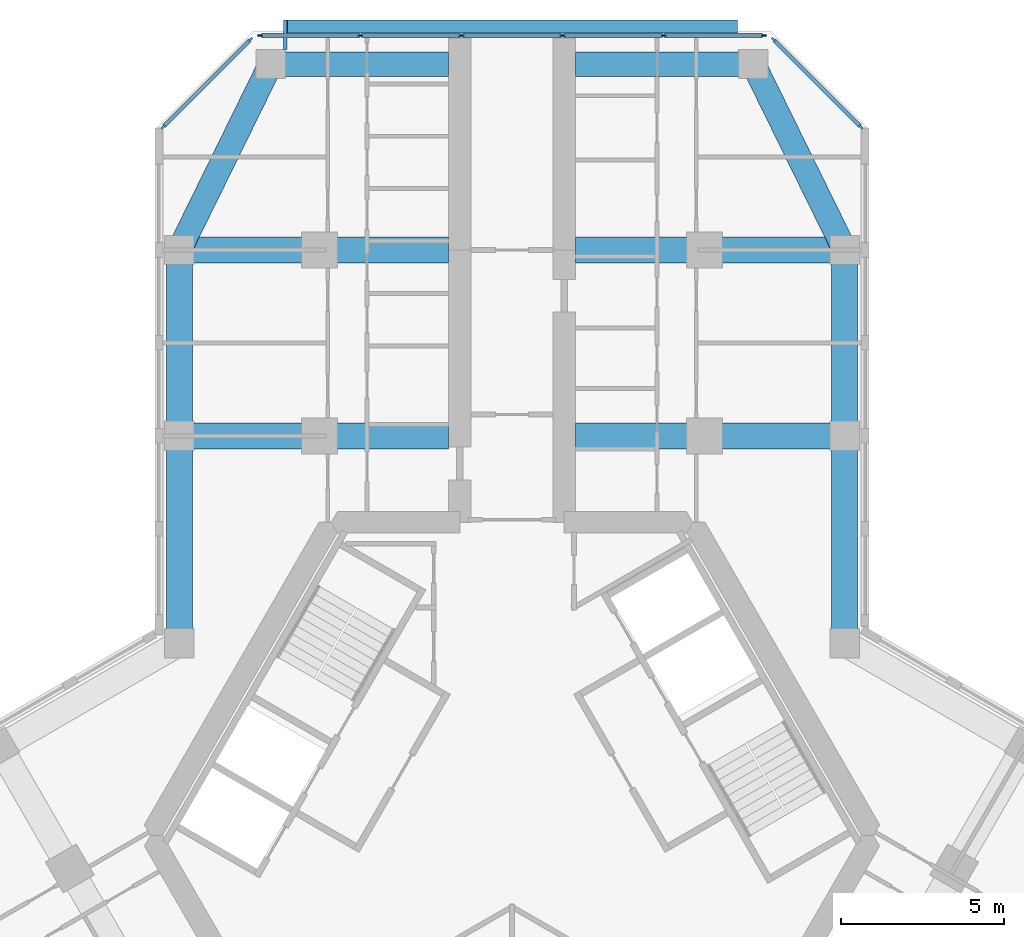
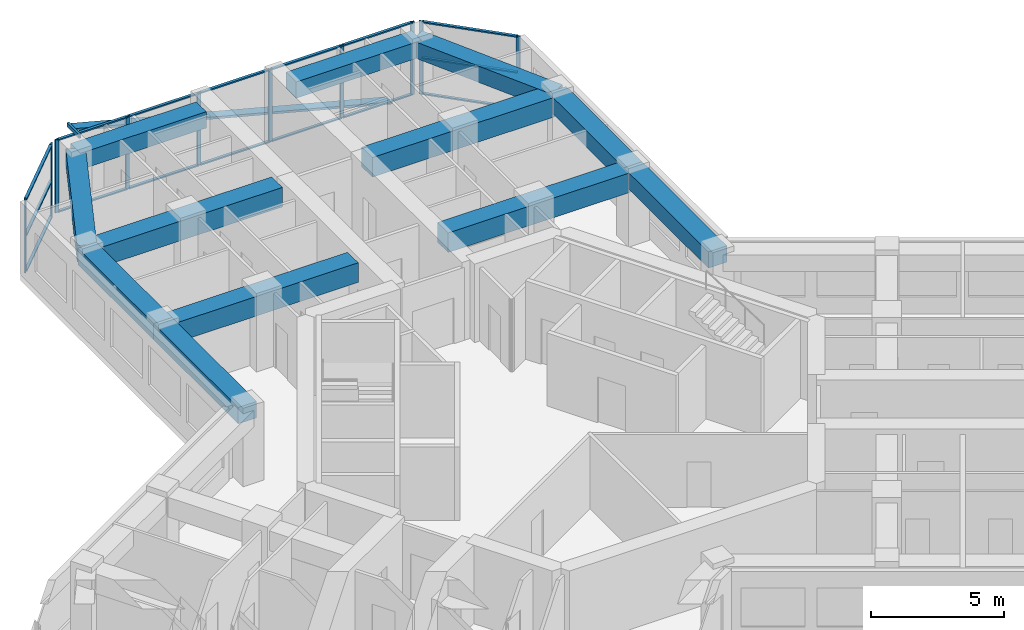
# One storey, part 6 of 16: 28 members, 12 beams, 3 elements without a shape of their own.
"""IFC4 building model written with IfcOpenShell, lengths in metres."""

from ifc_helpers import new_model, si_unit, direction, frame, origin, origin_2d, place, context, subcontext, project, spatial, rectangle, hollow_rectangle, extrude, material, material_profile, profile_set, type_object, element, aggregate, save


model = new_model("IFC4")

# Units and contexts
model_context = context("Model", 3, precision=1e-05, world=origin(), true_north=direction((0.0, 1.0)))
body_context = subcontext(model_context, "Body", "Model", "MODEL_VIEW")
ifc_project = project(units=[si_unit("LENGTHUNIT", "METRE"), si_unit("AREAUNIT", "SQUARE_METRE"), si_unit("VOLUMEUNIT", "CUBIC_METRE"), si_unit("PLANEANGLEUNIT", "RADIAN"), si_unit("MASSUNIT", "GRAM", prefix="KILO")], contexts=[model_context])

# Site, building, storey
site_placement = place(None, origin())
site = spatial("IfcSite", under=ifc_project, at=site_placement, CompositionType="ELEMENT")
building_placement = place(site_placement, origin())
building = spatial("IfcBuilding", under=site, at=building_placement, Name="Kosmar Iwan School Tower", CompositionType="ELEMENT")
storey_placement = place(building_placement, frame((0.0, 0.0, 222.60009765625)))
storey = spatial("IfcBuildingStorey", under=building, at=storey_placement, Name="L56", CompositionType="ELEMENT", Elevation=222.60009765625)

# Members
ifc_material_1 = material(Name="Black anodised aluminium", Category="aluminium")
ifc_material_profile_1 = material_profile(ifc_material_1, rectangle(XDim=0.10009765625, YDim=0.39990234375, at=origin_2d()), Name="FIN 100x400")
ifc_profile_set_1 = profile_set([ifc_material_profile_1], Name="Black anodised aluminium")
member_type_1 = type_object("IfcMemberType", Name="Diagonal fin 100x400", PredefinedType="USERDEFINED", material=ifc_profile_set_1)
member_1_placement = place(storey_placement, frame((6.898193359375, 24.800048828125, -0.150146484375), z_axis=(-0.967599450335, 0.0, 0.252490205179), x_axis=(0.252490205179, 0.0, 0.967599450335)))
element("IfcMember", 1, at=member_1_placement, inside=storey, type_object=member_type_1, Name="Diagonal fin L56-F06", ObjectType="FIN", PredefinedType="USERDEFINED", context=body_context, shape_type="SweptSolid", body=[
    extrude(rectangle(XDim=0.10009765625, YDim=0.39990234375, at=origin_2d()), origin(), (0.0, 0.0, 1.0), 14.25830078125),
])
ifc_material_2 = material(Name="Steel S355", Category="steel")
ifc_material_profile_2 = material_profile(ifc_material_2, hollow_rectangle(XDim=0.10009765625, YDim=0.199951171875, WallThickness=0.008056640625, at=origin_2d()), Name="RHS 200x100x8")
ifc_profile_set_2 = profile_set([ifc_material_profile_2], Name="Steel S355")
member_type_2 = type_object("IfcMemberType", Name="Fin bracket RHS 200x100", PredefinedType="USERDEFINED", material=ifc_profile_set_2)
member_2_placement = place(storey_placement, frame((-6.949951171875, 24.10009765625, 3.474853515625), z_axis=(0.0, 1.0, 0.0), x_axis=(-1.0, 0.0, 0.0)))
element("IfcMember", 2, at=member_2_placement, inside=storey, type_object=member_type_2, Name="Fin bracket L57", ObjectType="FIN BRACKET", PredefinedType="USERDEFINED", context=body_context, shape_type="SweptSolid", body=[
    extrude(hollow_rectangle(XDim=0.10009765625, YDim=0.199951171875, WallThickness=0.008056640625, at=origin_2d()), origin(), (0.0, 0.0, 1.0), 0.89990234375),
])

# Curtain wall, members
ifc_material_3 = material(Name="Dark glass in black aluminium frame", Category="aluminium")
curtain_wall_type_1 = type_object("IfcCurtainWallType", Name="Chamfer curtain wall dark glass", PredefinedType="USERDEFINED", material=ifc_material_3)
curtain_wall_1_placement = place(storey_placement, origin())
curtain_wall_1 = element("IfcCurtainWall", 3, at=curtain_wall_1_placement, inside=storey, type_object=curtain_wall_type_1, Name="Curtain wall L56-F05", ObjectType="FACETED CURTAIN WALL", PredefinedType="USERDEFINED")
ifc_material_4 = material(Name="Black anodised aluminium", Category="aluminium")
ifc_material_profile_3 = material_profile(ifc_material_4, rectangle(XDim=0.06005859375, YDim=0.159912109375, at=origin_2d()), Name="MULLION 60x160")
ifc_profile_set_3 = profile_set([ifc_material_profile_3], Name="Black anodised aluminium")
member_type_3 = type_object("IfcMemberType", Name="Mullion 60x160", PredefinedType="MULLION", material=ifc_profile_set_3)
member_3_placement = place(storey_placement, frame((10.69775390625, 21.7255859375, 0.0), z_axis=(0.0, 0.0, 1.0), x_axis=(-0.707106781187, -0.707106781187, 0.0)))
member_3 = element("IfcMember", 4, at=member_3_placement, type_object=member_type_3, Name="CW2 mullion 1", PredefinedType="MULLION", context=body_context, shape_type="SweptSolid", body=[
    extrude(rectangle(XDim=0.06005859375, YDim=0.159912109375, at=origin_2d()), origin(), (0.0, 0.0, 1.0), 3.349853515625),
])
member_4_placement = place(storey_placement, frame((8.025390625, 24.397705078125, 0.0), z_axis=(0.0, 0.0, 1.0), x_axis=(-0.707106781187, -0.707106781187, 0.0)))
member_4 = element("IfcMember", 5, at=member_4_placement, type_object=member_type_3, Name="CW2 mullion 2", PredefinedType="MULLION", context=body_context, shape_type="SweptSolid", body=[
    extrude(rectangle(XDim=0.06005859375, YDim=0.159912109375, at=origin_2d()), origin(), (0.0, 0.0, 1.0), 3.349853515625),
])

ifc_material_5 = material(Name="Dark glass in black aluminium frame", Category="aluminium")
curtain_wall_type_2 = type_object("IfcCurtainWallType", Name="Tower curtain wall dark glass", PredefinedType="USERDEFINED", material=ifc_material_5)
curtain_wall_2_placement = place(storey_placement, origin())
curtain_wall_2 = element("IfcCurtainWall", 6, at=curtain_wall_2_placement, inside=storey, type_object=curtain_wall_type_2, Name="Curtain wall L56-F06", ObjectType="UNITISED CURTAIN WALL", PredefinedType="USERDEFINED")
member_5_placement = place(storey_placement, frame((7.71826171875, 24.52490234375, 0.0), z_axis=(0.0, 0.0, 1.0), x_axis=(0.0, -1.0, 0.0)))
member_5 = element("IfcMember", 7, at=member_5_placement, type_object=member_type_3, Name="CW1 mullion 1", PredefinedType="MULLION", context=body_context, shape_type="SweptSolid", body=[
    extrude(rectangle(XDim=0.06005859375, YDim=0.159912109375, at=origin_2d()), origin(), (0.0, 0.0, 1.0), 3.349853515625),
])
member_6_placement = place(storey_placement, frame((4.64892578125, 24.52490234375, 0.0), z_axis=(0.0, 0.0, 1.0), x_axis=(0.0, -1.0, 0.0)))
member_6 = element("IfcMember", 8, at=member_6_placement, type_object=member_type_3, Name="CW1 mullion 2", PredefinedType="MULLION", context=body_context, shape_type="SweptSolid", body=[
    extrude(rectangle(XDim=0.06005859375, YDim=0.159912109375, at=origin_2d()), origin(), (0.0, 0.0, 1.0), 3.349853515625),
])
member_7_placement = place(storey_placement, frame((1.549560546875, 24.52490234375, 0.0), z_axis=(0.0, 0.0, 1.0), x_axis=(0.0, -1.0, 0.0)))
member_7 = element("IfcMember", 9, at=member_7_placement, type_object=member_type_3, Name="CW1 mullion 3", PredefinedType="MULLION", context=body_context, shape_type="SweptSolid", body=[
    extrude(rectangle(XDim=0.06005859375, YDim=0.159912109375, at=origin_2d()), origin(), (0.0, 0.0, 1.0), 3.349853515625),
])
member_8_placement = place(storey_placement, frame((-1.549560546875, 24.52490234375, 0.0), z_axis=(0.0, 0.0, 1.0), x_axis=(0.0, -1.0, 0.0)))
member_8 = element("IfcMember", 10, at=member_8_placement, type_object=member_type_3, Name="CW1 mullion 4", PredefinedType="MULLION", context=body_context, shape_type="SweptSolid", body=[
    extrude(rectangle(XDim=0.06005859375, YDim=0.159912109375, at=origin_2d()), origin(), (0.0, 0.0, 1.0), 3.349853515625),
])
member_9_placement = place(storey_placement, frame((-4.64892578125, 24.52490234375, 0.0), z_axis=(0.0, 0.0, 1.0), x_axis=(0.0, -1.0, 0.0)))
member_9 = element("IfcMember", 11, at=member_9_placement, type_object=member_type_3, Name="CW1 mullion 5", PredefinedType="MULLION", context=body_context, shape_type="SweptSolid", body=[
    extrude(rectangle(XDim=0.06005859375, YDim=0.159912109375, at=origin_2d()), origin(), (0.0, 0.0, 1.0), 3.349853515625),
])
member_10_placement = place(storey_placement, frame((-7.71826171875, 24.52490234375, 0.0), z_axis=(0.0, 0.0, 1.0), x_axis=(0.0, -1.0, 0.0)))
member_10 = element("IfcMember", 12, at=member_10_placement, type_object=member_type_3, Name="CW1 mullion 6", PredefinedType="MULLION", context=body_context, shape_type="SweptSolid", body=[
    extrude(rectangle(XDim=0.06005859375, YDim=0.159912109375, at=origin_2d()), origin(), (0.0, 0.0, 1.0), 3.349853515625),
])

curtain_wall_3_placement = place(storey_placement, origin())
curtain_wall_3 = element("IfcCurtainWall", 13, at=curtain_wall_3_placement, inside=storey, type_object=curtain_wall_type_1, Name="Curtain wall L56-F07", ObjectType="FACETED CURTAIN WALL", PredefinedType="USERDEFINED")
member_11_placement = place(storey_placement, frame((-8.025390625, 24.397705078125, 0.0), z_axis=(0.0, 0.0, 1.0), x_axis=(0.707106781187, -0.707106781187, 0.0)))
member_11 = element("IfcMember", 14, at=member_11_placement, type_object=member_type_3, Name="CW2 mullion 1", PredefinedType="MULLION", context=body_context, shape_type="SweptSolid", body=[
    extrude(rectangle(XDim=0.06005859375, YDim=0.159912109375, at=origin_2d()), origin(), (0.0, 0.0, 1.0), 3.349853515625),
])
member_12_placement = place(storey_placement, frame((-10.69775390625, 21.7255859375, 0.0), z_axis=(0.0, 0.0, 1.0), x_axis=(0.707106781187, -0.707106781187, 0.0)))
member_12 = element("IfcMember", 15, at=member_12_placement, type_object=member_type_3, Name="CW2 mullion 2", PredefinedType="MULLION", context=body_context, shape_type="SweptSolid", body=[
    extrude(rectangle(XDim=0.06005859375, YDim=0.159912109375, at=origin_2d()), origin(), (0.0, 0.0, 1.0), 3.349853515625),
])

# Beams
ifc_material_6 = material(Name="Concrete C50/60", Category="concrete")
ifc_material_profile_4 = material_profile(ifc_material_6, rectangle(XDim=0.800048828125, YDim=0.75, at=origin_2d()), Name="RC 800x750")
ifc_profile_set_4 = profile_set([ifc_material_profile_4], Name="Concrete C50/60")
beam_type_1 = type_object("IfcBeamType", Name="RC edge beam 800x750", PredefinedType="BEAM", material=ifc_profile_set_4)
beam_1_placement = place(storey_placement, frame((-10.199951171875, 5.888916015625, 2.974853515625), z_axis=(0.0, 1.0, 0.0), x_axis=(-1.0, 0.0, 0.0)))
element("IfcBeam", 16, at=beam_1_placement, inside=storey, type_object=beam_type_1, Name="Edge beam AL1", PredefinedType="BEAM", context=body_context, shape_type="SweptSolid", body=[
    extrude(rectangle(XDim=0.800048828125, YDim=0.75, at=origin_2d()), origin(), (0.0, 0.0, 1.0), 6.361083984375),
])
beam_2_placement = place(storey_placement, frame((-10.199951171875, 12.25, 2.974853515625), z_axis=(0.0, 1.0, 0.0), x_axis=(-1.0, 0.0, 0.0)))
element("IfcBeam", 17, at=beam_2_placement, inside=storey, type_object=beam_type_1, Name="Edge beam AL2", PredefinedType="BEAM", context=body_context, shape_type="SweptSolid", body=[
    extrude(rectangle(XDim=0.800048828125, YDim=0.75, at=origin_2d()), origin(), (0.0, 0.0, 1.0), 5.699951171875),
])
beam_3_placement = place(storey_placement, frame((10.199951171875, 5.888916015625, 2.974853515625), z_axis=(0.0, 1.0, 0.0), x_axis=(-1.0, 0.0, 0.0)))
element("IfcBeam", 18, at=beam_3_placement, inside=storey, type_object=beam_type_1, Name="Edge beam AR1", PredefinedType="BEAM", context=body_context, shape_type="SweptSolid", body=[
    extrude(rectangle(XDim=0.800048828125, YDim=0.75, at=origin_2d()), origin(), (0.0, 0.0, 1.0), 6.361083984375),
])
beam_4_placement = place(storey_placement, frame((10.199951171875, 12.25, 2.974853515625), z_axis=(0.0, 1.0, 0.0), x_axis=(-1.0, 0.0, 0.0)))
element("IfcBeam", 19, at=beam_4_placement, inside=storey, type_object=beam_type_1, Name="Edge beam AR2", PredefinedType="BEAM", context=body_context, shape_type="SweptSolid", body=[
    extrude(rectangle(XDim=0.800048828125, YDim=0.75, at=origin_2d()), origin(), (0.0, 0.0, 1.0), 5.699951171875),
])
ifc_material_7 = material(Name="Concrete C50/60", Category="concrete")
ifc_material_profile_5 = material_profile(ifc_material_7, rectangle(XDim=0.75, YDim=0.75, at=origin_2d()), Name="RC 750x750")
ifc_profile_set_5 = profile_set([ifc_material_profile_5], Name="Concrete C50/60")
beam_type_2 = type_object("IfcBeamType", Name="RC tip beam 750x750", PredefinedType="BEAM", material=ifc_profile_set_5)
beam_5_placement = place(storey_placement, frame((-10.199951171875, 17.949951171875, 2.974853515625), z_axis=(0.440913116462, 0.897549788999, 0.0), x_axis=(-0.897549788999, 0.440913116462, 0.0)))
element("IfcBeam", 20, at=beam_5_placement, inside=storey, type_object=beam_type_2, Name="Tip beam AL", PredefinedType="BEAM", context=body_context, shape_type="SweptSolid", body=[
    extrude(rectangle(XDim=0.75, YDim=0.75, at=origin_2d()), origin(), (0.0, 0.0, 1.0), 6.3505859375),
])
beam_6_placement = place(storey_placement, frame((-7.39990234375, 23.64990234375, 2.974853515625), z_axis=(1.0, 0.0, 0.0), x_axis=(0.0, 1.0, 0.0)))
element("IfcBeam", 21, at=beam_6_placement, inside=storey, type_object=beam_type_2, Name="Tip beam AL to corridor wall", PredefinedType="BEAM", context=body_context, shape_type="SweptSolid", body=[
    extrude(rectangle(XDim=0.75, YDim=0.75, at=origin_2d()), origin(), (0.0, 0.0, 1.0), 5.449951171875),
])
beam_7_placement = place(storey_placement, frame((10.199951171875, 17.949951171875, 2.974853515625), z_axis=(-0.440913116462, 0.897549788999, 0.0), x_axis=(-0.897549788999, -0.440913116462, 0.0)))
element("IfcBeam", 22, at=beam_7_placement, inside=storey, type_object=beam_type_2, Name="Tip beam AR", PredefinedType="BEAM", context=body_context, shape_type="SweptSolid", body=[
    extrude(rectangle(XDim=0.75, YDim=0.75, at=origin_2d()), origin(), (0.0, 0.0, 1.0), 6.3505859375),
])
beam_8_placement = place(storey_placement, frame((7.39990234375, 23.64990234375, 2.974853515625), z_axis=(-1.0, 0.0, 0.0), x_axis=(0.0, -1.0, 0.0)))
element("IfcBeam", 23, at=beam_8_placement, inside=storey, type_object=beam_type_2, Name="Tip beam AR to corridor wall", PredefinedType="BEAM", context=body_context, shape_type="SweptSolid", body=[
    extrude(rectangle(XDim=0.75, YDim=0.75, at=origin_2d()), origin(), (0.0, 0.0, 1.0), 5.449951171875),
])
ifc_material_8 = material(Name="Concrete C50/60", Category="concrete")
ifc_material_profile_6 = material_profile(ifc_material_8, rectangle(XDim=0.800048828125, YDim=0.89990234375, at=origin_2d()), Name="RC 800x900")
ifc_profile_set_6 = profile_set([ifc_material_profile_6], Name="Concrete C50/60")
beam_type_3 = type_object("IfcBeamType", Name="RC transverse beam 800x900", PredefinedType="BEAM", material=ifc_profile_set_6)
for number, where, z_axis, x_axis, name in (
    (24, (-10.199951171875, 12.25, 2.89990234375), (1.0, 0.0, 0.0), (0.0, 1.0, 0.0), "Transverse beam AL1"),
    (25, (-10.199951171875, 17.949951171875, 2.89990234375), (1.0, 0.0, 0.0), (0.0, 1.0, 0.0), "Transverse beam AL2"),
    (26, (10.199951171875, 12.25, 2.89990234375), (-1.0, 0.0, 0.0), (0.0, -1.0, 0.0), "Transverse beam AR1"),
    (27, (10.199951171875, 17.949951171875, 2.89990234375), (-1.0, 0.0, 0.0), (0.0, -1.0, 0.0), "Transverse beam AR2"),
):
    element("IfcBeam", number, at=place(storey_placement, frame(where, z_axis=z_axis, x_axis=x_axis)), inside=storey, type_object=beam_type_3, Name=name, PredefinedType="BEAM", context=body_context, shape_type="SweptSolid", body=[
        extrude(rectangle(XDim=0.800048828125, YDim=0.89990234375, at=origin_2d()), origin(), (0.0, 0.0, 1.0), 8.25),
    ])

# Member
ifc_material_9 = material(Name="Black anodised aluminium", Category="aluminium")
ifc_material_profile_7 = material_profile(ifc_material_9, rectangle(XDim=0.1201171875, YDim=0.06005859375, at=origin_2d()), Name="TRANSOM 60x120")
ifc_profile_set_7 = profile_set([ifc_material_profile_7], Name="Black anodised aluminium")
member_type_4 = type_object("IfcMemberType", Name="Transom 60x120", PredefinedType="USERDEFINED", material=ifc_profile_set_7)
member_13_placement = place(storey_placement, frame((10.676513671875, 21.746826171875, 0.02978515625), z_axis=(-0.707139603466, 0.707073957383, 0.0), x_axis=(-0.707073957383, -0.707139603466, 0.0)))
member_13 = element("IfcMember", 28, at=member_13_placement, type_object=member_type_4, Name="CW2 transom 1.1", ObjectType="TRANSOM", PredefinedType="USERDEFINED", context=body_context, shape_type="SweptSolid", body=[
    extrude(rectangle(XDim=0.1201171875, YDim=0.06005859375, at=origin_2d()), origin(), (0.0, 0.0, 1.0), 3.718994140625),
])

member_14_placement = place(storey_placement, frame((10.676513671875, 21.746826171875, 1.6748046875), z_axis=(-0.707139603466, 0.707073957383, 0.0), x_axis=(-0.707073957383, -0.707139603466, 0.0)))
member_14 = element("IfcMember", 29, at=member_14_placement, type_object=member_type_4, Name="CW2 transom 1.2", ObjectType="TRANSOM", PredefinedType="USERDEFINED", context=body_context, shape_type="SweptSolid", body=[
    extrude(rectangle(XDim=0.1201171875, YDim=0.06005859375, at=origin_2d()), origin(), (0.0, 0.0, 1.0), 3.718994140625),
])

member_15_placement = place(storey_placement, frame((10.676513671875, 21.746826171875, 3.31982421875), z_axis=(-0.707139603466, 0.707073957383, 0.0), x_axis=(-0.707073957383, -0.707139603466, 0.0)))
member_15 = element("IfcMember", 30, at=member_15_placement, type_object=member_type_4, Name="CW2 transom 1.3", ObjectType="TRANSOM", PredefinedType="USERDEFINED", context=body_context, shape_type="SweptSolid", body=[
    extrude(rectangle(XDim=0.1201171875, YDim=0.06005859375, at=origin_2d()), origin(), (0.0, 0.0, 1.0), 3.718994140625),
])

aggregate(curtain_wall_1, [member_3, member_4, member_13, member_14, member_15])

member_16_placement = place(storey_placement, frame((7.688232421875, 24.52490234375, 0.02978515625), z_axis=(-1.0, 0.0, 0.0), x_axis=(0.0, -1.0, 0.0)))
member_16 = element("IfcMember", 31, at=member_16_placement, type_object=member_type_4, Name="CW1 transom 1.1", ObjectType="TRANSOM", PredefinedType="USERDEFINED", context=body_context, shape_type="SweptSolid", body=[
    extrude(rectangle(XDim=0.1201171875, YDim=0.06005859375, at=origin_2d()), origin(), (0.0, 0.0, 1.0), 3.00927734375),
])

member_17_placement = place(storey_placement, frame((7.688232421875, 24.52490234375, 3.31982421875), z_axis=(-1.0, 0.0, 0.0), x_axis=(0.0, -1.0, 0.0)))
member_17 = element("IfcMember", 32, at=member_17_placement, type_object=member_type_4, Name="CW1 transom 1.2", ObjectType="TRANSOM", PredefinedType="USERDEFINED", context=body_context, shape_type="SweptSolid", body=[
    extrude(rectangle(XDim=0.1201171875, YDim=0.06005859375, at=origin_2d()), origin(), (0.0, 0.0, 1.0), 3.00927734375),
])

member_18_placement = place(storey_placement, frame((4.618896484375, 24.52490234375, 0.02978515625), z_axis=(-1.0, 0.0, 0.0), x_axis=(0.0, -1.0, 0.0)))
member_18 = element("IfcMember", 33, at=member_18_placement, type_object=member_type_4, Name="CW1 transom 2.1", ObjectType="TRANSOM", PredefinedType="USERDEFINED", context=body_context, shape_type="SweptSolid", body=[
    extrude(rectangle(XDim=0.1201171875, YDim=0.06005859375, at=origin_2d()), origin(), (0.0, 0.0, 1.0), 3.039306640625),
])

member_19_placement = place(storey_placement, frame((4.618896484375, 24.52490234375, 3.31982421875), z_axis=(-1.0, 0.0, 0.0), x_axis=(0.0, -1.0, 0.0)))
member_19 = element("IfcMember", 34, at=member_19_placement, type_object=member_type_4, Name="CW1 transom 2.2", ObjectType="TRANSOM", PredefinedType="USERDEFINED", context=body_context, shape_type="SweptSolid", body=[
    extrude(rectangle(XDim=0.1201171875, YDim=0.06005859375, at=origin_2d()), origin(), (0.0, 0.0, 1.0), 3.039306640625),
])

member_20_placement = place(storey_placement, frame((1.51953125, 24.52490234375, 0.02978515625), z_axis=(-1.0, 0.0, 0.0), x_axis=(0.0, -1.0, 0.0)))
member_20 = element("IfcMember", 35, at=member_20_placement, type_object=member_type_4, Name="CW1 transom 3.1", ObjectType="TRANSOM", PredefinedType="USERDEFINED", context=body_context, shape_type="SweptSolid", body=[
    extrude(rectangle(XDim=0.1201171875, YDim=0.06005859375, at=origin_2d()), origin(), (0.0, 0.0, 1.0), 3.0390625),
])

member_21_placement = place(storey_placement, frame((1.51953125, 24.52490234375, 3.31982421875), z_axis=(-1.0, 0.0, 0.0), x_axis=(0.0, -1.0, 0.0)))
member_21 = element("IfcMember", 36, at=member_21_placement, type_object=member_type_4, Name="CW1 transom 3.2", ObjectType="TRANSOM", PredefinedType="USERDEFINED", context=body_context, shape_type="SweptSolid", body=[
    extrude(rectangle(XDim=0.1201171875, YDim=0.06005859375, at=origin_2d()), origin(), (0.0, 0.0, 1.0), 3.0390625),
])

member_22_placement = place(storey_placement, frame((-1.57958984375, 24.52490234375, 0.02978515625), z_axis=(-1.0, 0.0, 0.0), x_axis=(0.0, -1.0, 0.0)))
member_22 = element("IfcMember", 37, at=member_22_placement, type_object=member_type_4, Name="CW1 transom 4.1", ObjectType="TRANSOM", PredefinedType="USERDEFINED", context=body_context, shape_type="SweptSolid", body=[
    extrude(rectangle(XDim=0.1201171875, YDim=0.06005859375, at=origin_2d()), origin(), (0.0, 0.0, 1.0), 3.039306640625),
])

member_23_placement = place(storey_placement, frame((-1.57958984375, 24.52490234375, 3.31982421875), z_axis=(-1.0, 0.0, 0.0), x_axis=(0.0, -1.0, 0.0)))
member_23 = element("IfcMember", 38, at=member_23_placement, type_object=member_type_4, Name="CW1 transom 4.2", ObjectType="TRANSOM", PredefinedType="USERDEFINED", context=body_context, shape_type="SweptSolid", body=[
    extrude(rectangle(XDim=0.1201171875, YDim=0.06005859375, at=origin_2d()), origin(), (0.0, 0.0, 1.0), 3.039306640625),
])

member_24_placement = place(storey_placement, frame((-4.678955078125, 24.52490234375, 0.02978515625), z_axis=(-1.0, 0.0, 0.0), x_axis=(0.0, -1.0, 0.0)))
member_24 = element("IfcMember", 39, at=member_24_placement, type_object=member_type_4, Name="CW1 transom 5.1", ObjectType="TRANSOM", PredefinedType="USERDEFINED", context=body_context, shape_type="SweptSolid", body=[
    extrude(rectangle(XDim=0.1201171875, YDim=0.06005859375, at=origin_2d()), origin(), (0.0, 0.0, 1.0), 3.00927734375),
])

member_25_placement = place(storey_placement, frame((-4.678955078125, 24.52490234375, 3.31982421875), z_axis=(-1.0, 0.0, 0.0), x_axis=(0.0, -1.0, 0.0)))
member_25 = element("IfcMember", 40, at=member_25_placement, type_object=member_type_4, Name="CW1 transom 5.2", ObjectType="TRANSOM", PredefinedType="USERDEFINED", context=body_context, shape_type="SweptSolid", body=[
    extrude(rectangle(XDim=0.1201171875, YDim=0.06005859375, at=origin_2d()), origin(), (0.0, 0.0, 1.0), 3.00927734375),
])

aggregate(curtain_wall_2, [member_5, member_6, member_7, member_8, member_9, member_10, member_16, member_17, member_18, member_19, member_20, member_21, member_22, member_23, member_24, member_25])

member_26_placement = place(storey_placement, frame((-8.046630859375, 24.37646484375, 0.02978515625), z_axis=(-0.707139603466, -0.707073957383, 0.0), x_axis=(0.707073957383, -0.707139603466, 0.0)))
member_26 = element("IfcMember", 41, at=member_26_placement, type_object=member_type_4, Name="CW2 transom 1.1", ObjectType="TRANSOM", PredefinedType="USERDEFINED", context=body_context, shape_type="SweptSolid", body=[
    extrude(rectangle(XDim=0.1201171875, YDim=0.06005859375, at=origin_2d()), origin(), (0.0, 0.0, 1.0), 3.718994140625),
])

member_27_placement = place(storey_placement, frame((-8.046630859375, 24.37646484375, 1.6748046875), z_axis=(-0.707139603466, -0.707073957383, 0.0), x_axis=(0.707073957383, -0.707139603466, 0.0)))
member_27 = element("IfcMember", 42, at=member_27_placement, type_object=member_type_4, Name="CW2 transom 1.2", ObjectType="TRANSOM", PredefinedType="USERDEFINED", context=body_context, shape_type="SweptSolid", body=[
    extrude(rectangle(XDim=0.1201171875, YDim=0.06005859375, at=origin_2d()), origin(), (0.0, 0.0, 1.0), 3.718994140625),
])

member_28_placement = place(storey_placement, frame((-8.046630859375, 24.37646484375, 3.31982421875), z_axis=(-0.707139603466, -0.707073957383, 0.0), x_axis=(0.707073957383, -0.707139603466, 0.0)))
member_28 = element("IfcMember", 43, at=member_28_placement, type_object=member_type_4, Name="CW2 transom 1.3", ObjectType="TRANSOM", PredefinedType="USERDEFINED", context=body_context, shape_type="SweptSolid", body=[
    extrude(rectangle(XDim=0.1201171875, YDim=0.06005859375, at=origin_2d()), origin(), (0.0, 0.0, 1.0), 3.718994140625),
])

aggregate(curtain_wall_3, [member_11, member_12, member_26, member_27, member_28])

save(model, "model.ifc")
